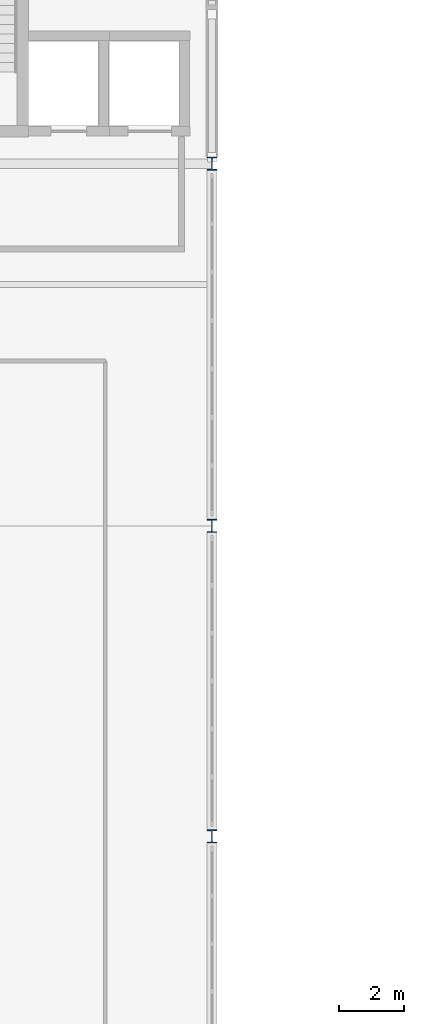
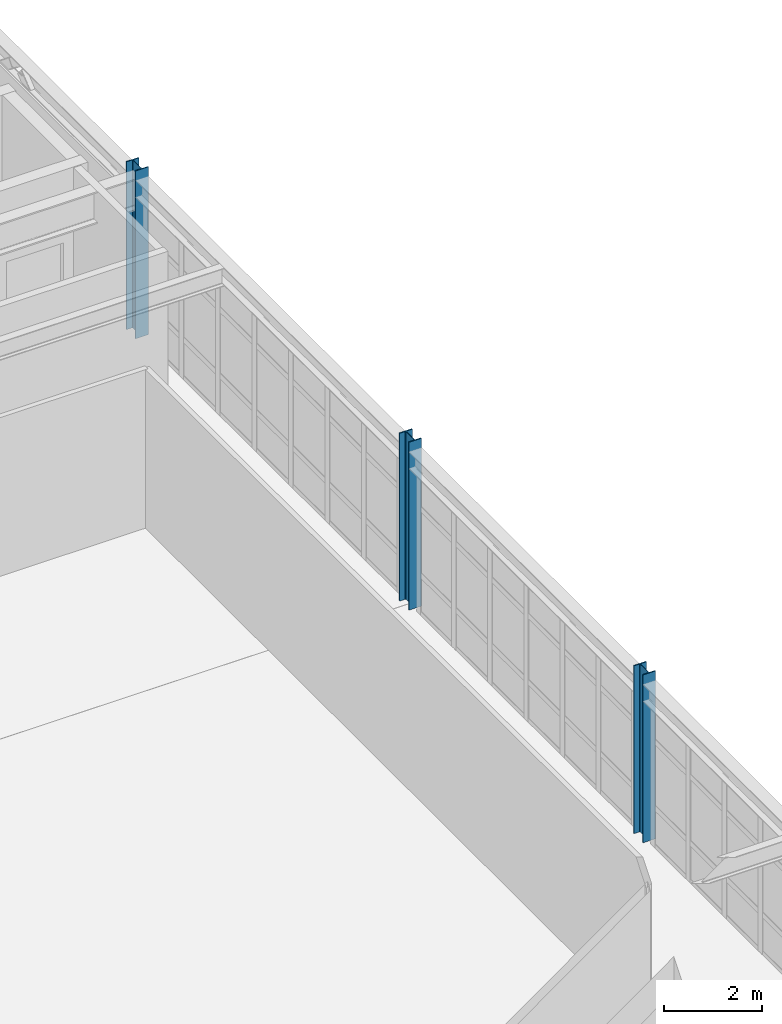
# One storey, part 9 of 88: 3 columns.
"""IFC4 building model written with IfcOpenShell, lengths in metres."""

from ifc_helpers import new_model, si_unit, direction, frame, origin, origin_2d, place, context, subcontext, project, spatial, i_section, extrude, material, material_profile, profile_set, type_object, element, save


model = new_model("IFC4")

# Units and contexts
model_context = context("Model", 3, precision=1e-05, world=origin(), true_north=direction((0.0, 1.0)))
body_context = subcontext(model_context, "Body", "Model", "MODEL_VIEW")
ifc_project = project(units=[si_unit("LENGTHUNIT", "METRE"), si_unit("AREAUNIT", "SQUARE_METRE"), si_unit("VOLUMEUNIT", "CUBIC_METRE"), si_unit("PLANEANGLEUNIT", "RADIAN"), si_unit("MASSUNIT", "GRAM", prefix="KILO")], contexts=[model_context])

# Site, building, storey
site_placement = place(None, origin())
site = spatial("IfcSite", under=ifc_project, at=site_placement, CompositionType="ELEMENT")
building_placement = place(site_placement, origin())
building = spatial("IfcBuilding", under=site, at=building_placement, Name="Nordkorset Police Headquarters", CompositionType="ELEMENT")
storey_placement = place(building_placement, frame((0.0, 0.0, 9.449951171875)))
storey = spatial("IfcBuildingStorey", under=building, at=storey_placement, Name="L02", CompositionType="ELEMENT", Elevation=9.449951171875)

# Columns
ifc_material = material(Name="Steel S355J2", Category="steel")
ifc_material_profile = material_profile(ifc_material, i_section(OverallWidth=0.300048828125, OverallDepth=0.39990234375, WebThickness=0.013427734375, FlangeThickness=0.02392578125, FilletRadius=0.027099609375, at=origin_2d()), Name="HEB 400")
ifc_profile_set = profile_set([ifc_material_profile], Name="Steel S355J2")
column_type = type_object("IfcColumnType", Name="Col_HEB_400", PredefinedType="COLUMN", material=ifc_profile_set)
for number, where, z_axis, x_axis, name in (
    (1, (115.199951171875, 67.199951171875, 0.0), (0.0, 0.0, 1.0), (1.0, 0.0, 0.0), "Structural Column V5_X2_2 L02"),
    (2, (115.199951171875, 76.800048828125, 0.0), (0.0, 0.0, 1.0), (1.0, 0.0, 0.0), "Structural Column V5_X2_3 L02"),
    (3, (115.199951171875, 88.0, 0.0), (0.0, 0.0, 1.0), (1.0, 0.0, 0.0), "Structural Column V5_X2_4 L02"),
):
    element("IfcColumn", number, at=place(storey_placement, frame(where, z_axis=z_axis, x_axis=x_axis)), inside=storey, type_object=column_type, Name=name, PredefinedType="COLUMN", context=body_context, shape_type="SweptSolid", body=[
        extrude(i_section(OverallWidth=0.300048828125, OverallDepth=0.39990234375, WebThickness=0.013427734375, FlangeThickness=0.02392578125, FilletRadius=0.027099609375, at=origin_2d()), origin(), (0.0, 0.0, 1.0), 4.199951171875),
    ])

save(model, "model.ifc")
